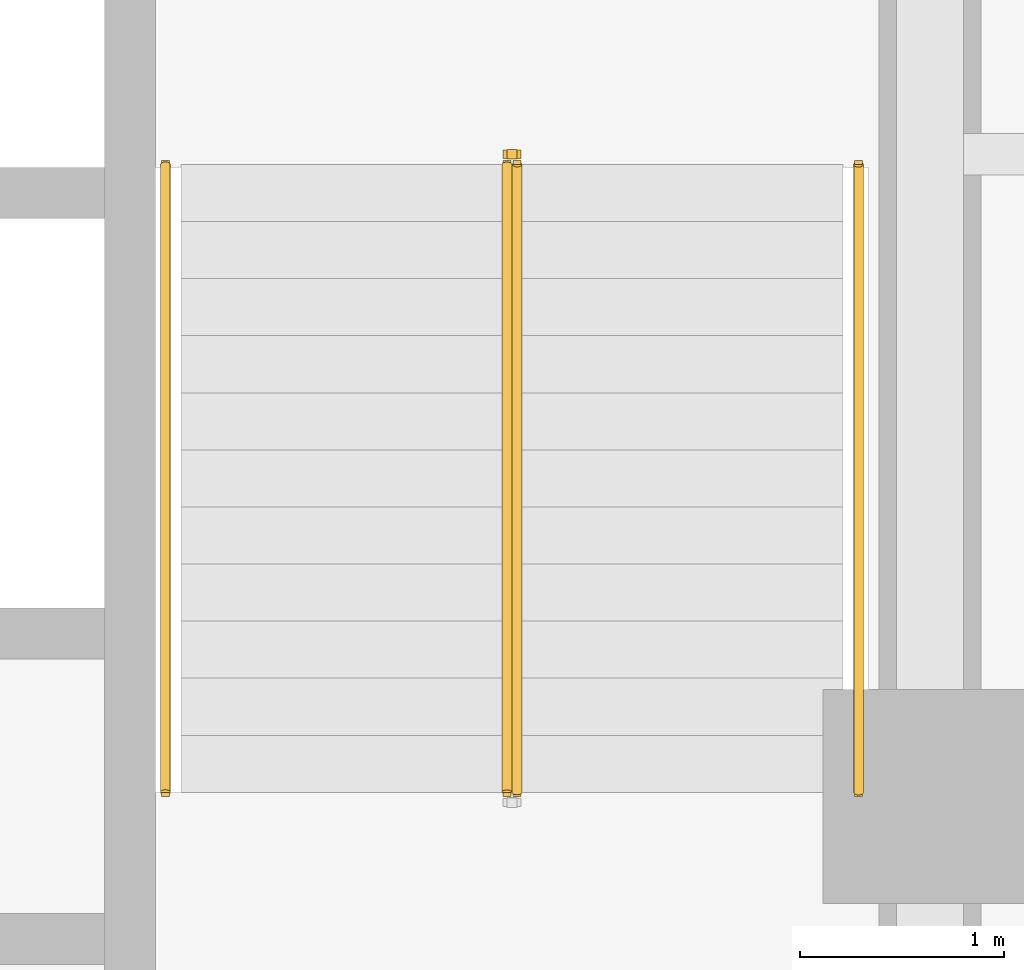
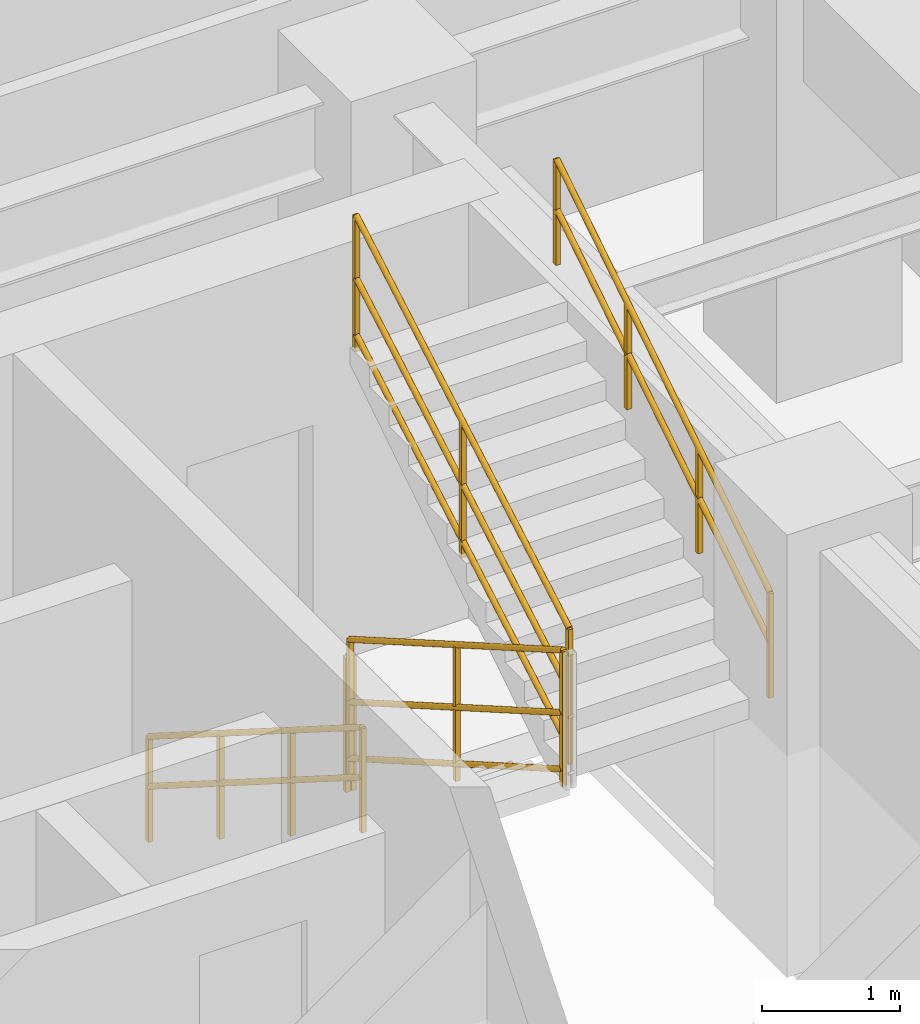
# One storey, part 8 of 9: 5 railings.
"""IFC4 building model written with IfcOpenShell, lengths in metres."""

from ifc_helpers import new_model, entity, si_unit, converted_unit, direction, frame, origin_with_axes, origin_2d_with_axis, place, context, subcontext, project, spatial, rectangle, circle, extrude, material, type_object, element, save


model = new_model("IFC4")

# Units and contexts
model_context = context("Model", 3, precision=1e-05, world=origin_with_axes(), true_north=direction((0.0, 1.0)))
body_context = subcontext(model_context, "Body", "Model", "MODEL_VIEW")
ifc_project = project(units=[si_unit("LENGTHUNIT", "METRE"), si_unit("AREAUNIT", "SQUARE_METRE"), si_unit("VOLUMEUNIT", "CUBIC_METRE"), converted_unit("PLANEANGLEUNIT", "DEGREE", entity("IfcPlaneAngleMeasure", 0.017453292519943295), si_unit("PLANEANGLEUNIT", "RADIAN"), dimensions=[0, 0, 0, 0, 0, 0, 0]), si_unit("MASSUNIT", "GRAM", prefix="KILO"), si_unit("THERMODYNAMICTEMPERATUREUNIT", "KELVIN")], contexts=[model_context])

# Site, building, storey
site_placement = place(None, origin_with_axes())
site = spatial("IfcSite", under=ifc_project, at=site_placement, CompositionType="ELEMENT")
building_placement = place(site_placement, origin_with_axes())
building = spatial("IfcBuilding", under=site, at=building_placement, Name="Varnlund Millrace Tower", CompositionType="ELEMENT")
storey_placement = place(building_placement, frame((0.0, 0.0, 136.8), z_axis=(0.0, 0.0, 1.0), x_axis=(1.0, 0.0, 0.0)))
storey = spatial("IfcBuildingStorey", under=building, at=storey_placement, Name="L33", CompositionType="ELEMENT", Elevation=136.8)

# Railings
ifc_material_1 = material(Name="Painted steel stair well balustrade guard", Category="steel")
railing_type_1 = type_object("IfcRailingType", Name="Type-StairGuard-1150", PredefinedType="GUARDRAIL", material=ifc_material_1)
railing_1_placement = place(storey_placement, frame((0.0, 0.0, -136.8), z_axis=(0.0, 0.0, 1.0), x_axis=(1.0, 0.0, 0.0)))
element("IfcRailing", 1, at=railing_1_placement, inside=storey, type_object=railing_type_1, Name="Type-StairGuard-1150", PredefinedType="GUARDRAIL", context=body_context, shape_type="SweptSolid", body=[
    extrude(circle(Radius=0.024, at=origin_2d_with_axis()), frame((45.975, 21.1, 138.127273), z_axis=(0.0, -0.866696, 0.498836), x_axis=(1.0, 0.0, 0.0)), (0.0, 0.0, 1.0), 3.553725),
    extrude(circle(Radius=0.024, at=origin_2d_with_axis()), frame((45.975, 21.1, 137.077273), z_axis=(0.0, -0.866696, 0.498836), x_axis=(1.0, 0.0, 0.0)), (0.0, 0.0, 1.0), 3.553725),
    extrude(circle(Radius=0.024, at=origin_2d_with_axis()), frame((45.975, 21.1, 137.575273), z_axis=(0.0, -0.866696, 0.498836), x_axis=(1.0, 0.0, 0.0)), (0.0, 0.0, 1.0), 3.553725),
    extrude(rectangle(XDim=0.04, YDim=0.04, at=origin_2d_with_axis()), frame((45.975, 21.1, 136.937273), z_axis=(0.0, 0.0, 1.0), x_axis=(1.0, 0.0, 0.0)), (0.0, 0.0, 1.0), 1.19),
    extrude(rectangle(XDim=0.04, YDim=0.04, at=origin_2d_with_axis()), frame((45.975, 19.56, 137.823636), z_axis=(0.0, 0.0, 1.0), x_axis=(1.0, 0.0, 0.0)), (0.0, 0.0, 1.0), 1.19),
    extrude(rectangle(XDim=0.04, YDim=0.04, at=origin_2d_with_axis()), frame((45.975, 18.02, 138.71), z_axis=(0.0, 0.0, 1.0), x_axis=(1.0, 0.0, 0.0)), (0.0, 0.0, 1.0), 1.19),
])
railing_2_placement = place(storey_placement, frame((0.0, 0.0, -136.8), z_axis=(0.0, 0.0, 1.0), x_axis=(1.0, 0.0, 0.0)))
element("IfcRailing", 2, at=railing_2_placement, inside=storey, type_object=railing_type_1, Name="Type-StairGuard-1150", PredefinedType="GUARDRAIL", context=body_context, shape_type="SweptSolid", body=[
    extrude(circle(Radius=0.024, at=origin_2d_with_axis()), frame((46.025, 18.02, 140.077273), z_axis=(0.0, 0.866696, 0.498836), x_axis=(-1.0, 0.0, 0.0)), (0.0, 0.0, 1.0), 3.553725),
    extrude(circle(Radius=0.024, at=origin_2d_with_axis()), frame((46.025, 18.02, 139.027273), z_axis=(0.0, 0.866696, 0.498836), x_axis=(-1.0, 0.0, 0.0)), (0.0, 0.0, 1.0), 3.553725),
    extrude(circle(Radius=0.024, at=origin_2d_with_axis()), frame((46.025, 18.02, 139.525273), z_axis=(0.0, 0.866696, 0.498836), x_axis=(-1.0, 0.0, 0.0)), (0.0, 0.0, 1.0), 3.553725),
    extrude(rectangle(XDim=0.04, YDim=0.04, at=origin_2d_with_axis()), frame((46.025, 18.02, 138.887273), z_axis=(0.0, 0.0, 1.0), x_axis=(1.0, 0.0, 0.0)), (0.0, 0.0, 1.0), 1.19),
    extrude(rectangle(XDim=0.04, YDim=0.04, at=origin_2d_with_axis()), frame((46.025, 19.56, 139.773637), z_axis=(0.0, 0.0, 1.0), x_axis=(1.0, 0.0, 0.0)), (0.0, 0.0, 1.0), 1.19),
    extrude(rectangle(XDim=0.04, YDim=0.04, at=origin_2d_with_axis()), frame((46.025, 21.1, 140.66), z_axis=(0.0, 0.0, 1.0), x_axis=(1.0, 0.0, 0.0)), (0.0, 0.0, 1.0), 1.19),
])
railing_3_placement = place(storey_placement, frame((0.0, 0.0, -136.8), z_axis=(0.0, 0.0, 1.0), x_axis=(1.0, 0.0, 0.0)))
element("IfcRailing", 3, at=railing_3_placement, inside=storey, type_object=railing_type_1, Name="Type-StairGuard-1150", PredefinedType="GUARDRAIL", context=body_context, shape_type="SweptSolid", body=[
    extrude(circle(Radius=0.024, at=origin_2d_with_axis()), frame((46.025, 21.15, 137.95), z_axis=(-1.0, 0.0, 0.0), x_axis=(0.0, -1.0, 0.0)), (0.0, 0.0, 1.0), 0.05),
    extrude(circle(Radius=0.024, at=origin_2d_with_axis()), frame((46.025, 21.15, 136.9), z_axis=(-1.0, 0.0, 0.0), x_axis=(0.0, -1.0, 0.0)), (0.0, 0.0, 1.0), 0.05),
    extrude(circle(Radius=0.024, at=origin_2d_with_axis()), frame((46.025, 21.15, 137.398), z_axis=(-1.0, 0.0, 0.0), x_axis=(0.0, -1.0, 0.0)), (0.0, 0.0, 1.0), 0.05),
    extrude(rectangle(XDim=0.04, YDim=0.04, at=origin_2d_with_axis()), frame((46.025, 21.15, 136.76), z_axis=(0.0, 0.0, 1.0), x_axis=(1.0, 0.0, 0.0)), (0.0, 0.0, 1.0), 1.19),
    extrude(rectangle(XDim=0.04, YDim=0.04, at=origin_2d_with_axis()), frame((45.975, 21.15, 136.76), z_axis=(0.0, 0.0, 1.0), x_axis=(1.0, 0.0, 0.0)), (0.0, 0.0, 1.0), 1.19),
])
ifc_material_2 = material(Name="Brushed architectural bronze stair handrail", Category="aluminium")
railing_type_2 = type_object("IfcRailingType", Name="Type-StairHandrail-900", PredefinedType="HANDRAIL", material=ifc_material_2)
railing_4_placement = place(storey_placement, frame((0.0, 0.0, -136.8), z_axis=(0.0, 0.0, 1.0), x_axis=(1.0, 0.0, 0.0)))
element("IfcRailing", 4, at=railing_4_placement, inside=storey, type_object=railing_type_2, Name="Type-StairHandrail-900", PredefinedType="HANDRAIL", context=body_context, shape_type="SweptSolid", body=[
    extrude(circle(Radius=0.024, at=origin_2d_with_axis()), frame((44.3, 21.1, 137.856995), z_axis=(0.0, -0.844902, 0.534922), x_axis=(1.0, 0.0, 0.0)), (0.0, 0.0, 1.0), 3.645394),
    extrude(circle(Radius=0.024, at=origin_2d_with_axis()), frame((44.3, 21.1, 137.417134), z_axis=(0.0, -0.844902, 0.534922), x_axis=(1.0, 0.0, 0.0)), (0.0, 0.0, 1.0), 3.645394),
    extrude(rectangle(XDim=0.04, YDim=0.04, at=origin_2d_with_axis()), frame((44.3, 21.1, 136.937273), z_axis=(0.0, 0.0, 1.0), x_axis=(1.0, 0.0, 0.0)), (0.0, 0.0, 1.0), 0.919722),
    extrude(rectangle(XDim=0.04, YDim=0.04, at=origin_2d_with_axis()), frame((44.3, 20.073333, 137.587273), z_axis=(0.0, 0.0, 1.0), x_axis=(1.0, 0.0, 0.0)), (0.0, 0.0, 1.0), 0.919722),
    extrude(rectangle(XDim=0.04, YDim=0.04, at=origin_2d_with_axis()), frame((44.3, 19.046667, 138.237273), z_axis=(0.0, 0.0, 1.0), x_axis=(1.0, 0.0, 0.0)), (0.0, 0.0, 1.0), 0.919722),
    extrude(rectangle(XDim=0.04, YDim=0.04, at=origin_2d_with_axis()), frame((44.3, 18.02, 138.887273), z_axis=(0.0, 0.0, 1.0), x_axis=(1.0, 0.0, 0.0)), (0.0, 0.0, 1.0), 0.919722),
])
railing_5_placement = place(storey_placement, frame((0.0, 0.0, -136.8), z_axis=(0.0, 0.0, 1.0), x_axis=(1.0, 0.0, 0.0)))
element("IfcRailing", 5, at=railing_5_placement, inside=storey, type_object=railing_type_2, Name="Type-StairHandrail-900", PredefinedType="HANDRAIL", context=body_context, shape_type="SweptSolid", body=[
    extrude(circle(Radius=0.024, at=origin_2d_with_axis()), frame((47.7, 18.02, 139.806995), z_axis=(0.0, 0.844902, 0.534922), x_axis=(-1.0, 0.0, 0.0)), (0.0, 0.0, 1.0), 3.645394),
    extrude(circle(Radius=0.024, at=origin_2d_with_axis()), frame((47.7, 18.02, 139.367134), z_axis=(0.0, 0.844902, 0.534922), x_axis=(-1.0, 0.0, 0.0)), (0.0, 0.0, 1.0), 3.645394),
    extrude(rectangle(XDim=0.04, YDim=0.04, at=origin_2d_with_axis()), frame((47.7, 18.02, 138.887273), z_axis=(0.0, 0.0, 1.0), x_axis=(1.0, 0.0, 0.0)), (0.0, 0.0, 1.0), 0.919722),
    extrude(rectangle(XDim=0.04, YDim=0.04, at=origin_2d_with_axis()), frame((47.7, 19.046667, 139.537273), z_axis=(0.0, 0.0, 1.0), x_axis=(1.0, 0.0, 0.0)), (0.0, 0.0, 1.0), 0.919722),
    extrude(rectangle(XDim=0.04, YDim=0.04, at=origin_2d_with_axis()), frame((47.7, 20.073333, 140.187273), z_axis=(0.0, 0.0, 1.0), x_axis=(1.0, 0.0, 0.0)), (0.0, 0.0, 1.0), 0.919722),
    extrude(rectangle(XDim=0.04, YDim=0.04, at=origin_2d_with_axis()), frame((47.7, 21.1, 140.837273), z_axis=(0.0, 0.0, 1.0), x_axis=(1.0, 0.0, 0.0)), (0.0, 0.0, 1.0), 0.919722),
])

save(model, "model.ifc")
